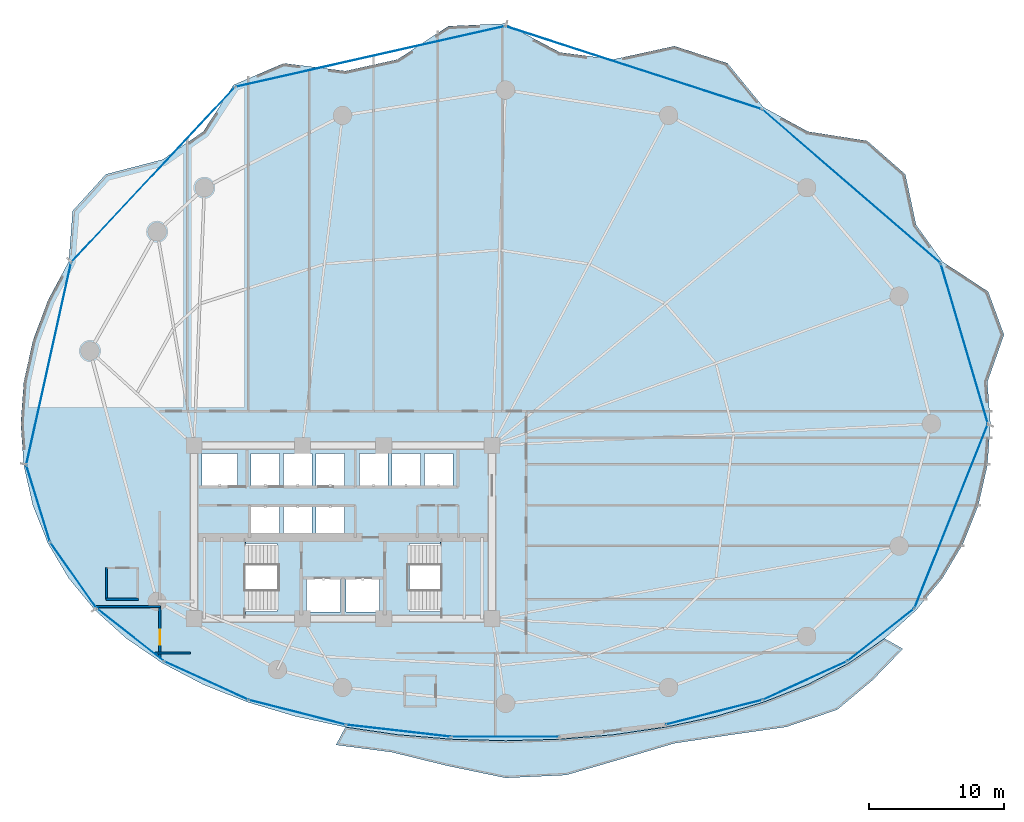
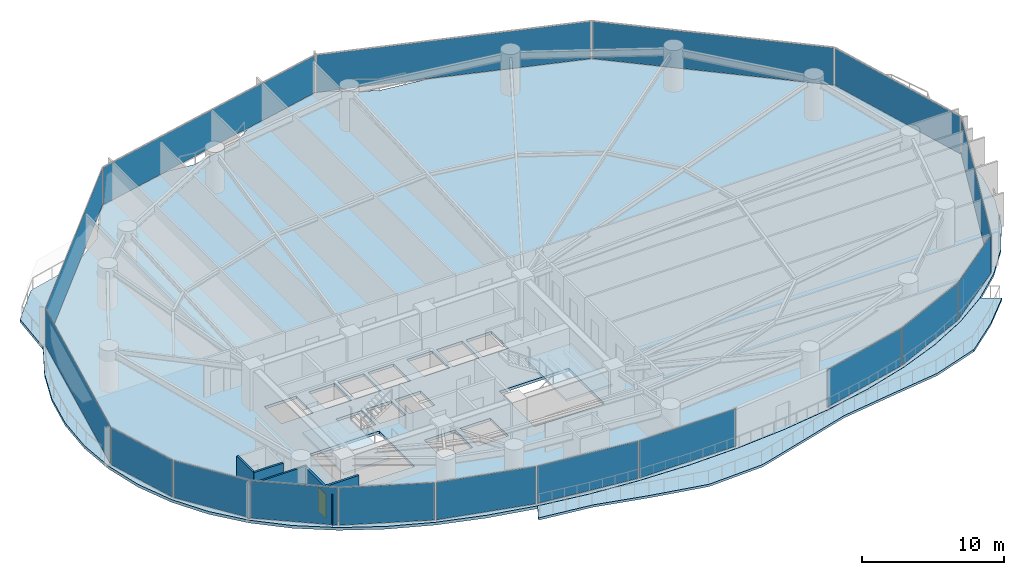
# One storey, part 25 of 33: 17 plates, 5 walls, 4 slabs, 1 door, 1 opening, 19 elements without a shape of their own.
"""IFC4 building model written with IfcOpenShell, lengths in metres."""

import ifcopenshell
import ifcopenshell.guid

model = None  # the IFC model being written
_history = None  # IfcOwnerHistory: only IFC2X3 demands one
_inside = {}  # id of a spatial element -> (the spatial element, [elements in it])
_under = {}  # id of a project, library or spatial element -> (it, [spatial elements below it])
_declared = {}  # id of a project -> (the project, [libraries it declares])
_typed = {}  # id of a type object -> (the type object, [elements of that type])
_made_of = {}  # id of a material, layer set ... -> (it, [elements and type objects made of it])


def new_model(schema):
    """Start an empty IFC model of exactly this schema.

    Asked for "IFC4X3", IfcOpenShell would pick the latest addendum, in which some entities
    have other attributes; the version numbers below select the first issue.
    IFC2X3 requires an IfcOwnerHistory on every rooted entity: one is made here for all.
    """
    global model, _history
    if schema == "IFC4X3":
        model = ifcopenshell.file(schema_version=(4, 3, 0, 0))
    else:
        model = ifcopenshell.file(schema=schema)
    _inside.clear()
    _under.clear()
    _declared.clear()
    _typed.clear()
    _made_of.clear()
    _history = None
    if model.schema == "IFC2X3":
        org = make("IfcOrganization", Name="unknown")
        user = make(
            "IfcPersonAndOrganization",
            ThePerson=make("IfcPerson", FamilyName="unknown"),
            TheOrganization=org,
        )
        app = make(
            "IfcApplication",
            ApplicationDeveloper=org,
            Version="unknown",
            ApplicationFullName="unknown",
            ApplicationIdentifier="unknown",
        )
        _history = make(
            "IfcOwnerHistory",
            OwningUser=user,
            OwningApplication=app,
            ChangeAction="ADDED",
            CreationDate=0,
        )
    return model


def make(cls, **values):
    """One entity of the class cls with the attributes given. An attribute that is None is left unset."""
    return model.create_entity(
        cls, **{name: value for name, value in values.items() if value is not None}
    )


def rooted(cls, **values):
    """An entity with a GlobalId (a new one), such as an element, a storey or a relation."""
    return make(cls, GlobalId=ifcopenshell.guid.new(), OwnerHistory=_history, **values)


def si_unit(unit_type, name, prefix=None):
    """IfcSIUnit, for example si_unit("LENGTHUNIT", "METRE", prefix="MILLI")."""
    return make("IfcSIUnit", UnitType=unit_type, Prefix=prefix, Name=name)


def assignment(units):
    """IfcUnitAssignment: the units of a project."""
    return None if units is None else make("IfcUnitAssignment", Units=units)


def point(xyz):
    """IfcCartesianPoint."""
    return None if xyz is None else make("IfcCartesianPoint", Coordinates=xyz)


def direction(xyz):
    """IfcDirection."""
    return None if xyz is None else make("IfcDirection", DirectionRatios=xyz)


def frame(location, z_axis=None, x_axis=None):
    """IfcAxis2Placement3D, a coordinate frame: its origin and axes. An axis left out is left unset."""
    return make(
        "IfcAxis2Placement3D",
        Location=point(location),
        Axis=direction(z_axis),
        RefDirection=direction(x_axis),
    )


def frame_2d(location, x_axis=None):
    """IfcAxis2Placement2D, a coordinate frame in the plane: its origin and x axis."""
    return make(
        "IfcAxis2Placement2D", Location=point(location), RefDirection=direction(x_axis)
    )


def origin():
    """The frame at (0, 0, 0) with its axes left unset."""
    return frame((0.0, 0.0, 0.0))


def origin_2d():
    """The frame at (0, 0) in the plane with its x axis left unset."""
    return frame_2d((0.0, 0.0))


def place(relative_to, where):
    """IfcLocalPlacement: puts the frame where relative to a parent placement (None: the world)."""
    return make(
        "IfcLocalPlacement", PlacementRelTo=relative_to, RelativePlacement=where
    )


def context(
    kind, dimensions, precision=None, world=None, true_north=None, identifier=None
):
    """IfcGeometricRepresentationContext, for example the 3D "Model" context."""
    return make(
        "IfcGeometricRepresentationContext",
        ContextIdentifier=identifier,
        ContextType=kind,
        CoordinateSpaceDimension=dimensions,
        Precision=precision,
        WorldCoordinateSystem=world,
        TrueNorth=true_north,
    )


def subcontext(parent, identifier, kind, view, scale=None):
    """IfcGeometricRepresentationSubContext, for example "Body" below "Model"."""
    return make(
        "IfcGeometricRepresentationSubContext",
        ContextIdentifier=identifier,
        ContextType=kind,
        ParentContext=parent,
        TargetScale=scale,
        TargetView=view,
    )


def project(units=None, contexts=None):
    """IfcProject with its units and contexts."""
    return rooted(
        "IfcProject",
        Name="project",
        RepresentationContexts=contexts,
        UnitsInContext=assignment(units),
    )


def spatial(cls, under=None, at=None, **own):
    """A site, building, storey or space (cls), placed at a placement, below another one or the project."""
    s = rooted(cls, ObjectPlacement=at, **own)
    if under is not None:
        _under.setdefault(under.id(), (under, []))[1].append(s)
    return s


def polyline(points):
    """IfcPolyline through the points."""
    return make("IfcPolyline", Points=[point(p) for p in points])


def profile(cls, at=None, kind="AREA", **sizes):
    """A parametric profile (cls). Its sizes go by their IFC names, for example OverallWidth=200.0."""
    return make(cls, ProfileType=kind, Position=at, **sizes)


def rectangle(**sizes):
    """IfcRectangleProfileDef."""
    return profile("IfcRectangleProfileDef", **sizes)


def outline(outer, holes=None, kind="AREA"):
    """IfcArbitraryClosedProfileDef: a profile drawn as a closed curve; with holes, ...WithVoids."""
    if holes is None:
        return make("IfcArbitraryClosedProfileDef", ProfileType=kind, OuterCurve=outer)
    return make(
        "IfcArbitraryProfileDefWithVoids",
        ProfileType=kind,
        OuterCurve=outer,
        InnerCurves=holes,
    )


def extrude(swept, where, along, depth):
    """IfcExtrudedAreaSolid: the profile swept, set in the frame where, extruded along a direction by depth."""
    return make(
        "IfcExtrudedAreaSolid",
        SweptArea=swept,
        Position=where,
        ExtrudedDirection=direction(along),
        Depth=depth,
    )


def shape(context_of_items, identifier, shape_type, items):
    """IfcShapeRepresentation: the items that make up one representation, for example the "Body"."""
    return make(
        "IfcShapeRepresentation",
        ContextOfItems=context_of_items,
        RepresentationIdentifier=identifier,
        RepresentationType=shape_type,
        Items=items,
    )


def material(Name=None, Category=None):
    """IfcMaterial."""
    return make("IfcMaterial", Name=Name, Category=Category)


def layer(
    of_material, thickness, ventilated=None, Name=None, Category=None, Priority=None
):
    """IfcMaterialLayer: one layer of a wall or slab, of a material (None: an air gap)."""
    return make(
        "IfcMaterialLayer",
        Material=of_material,
        LayerThickness=thickness,
        IsVentilated=ventilated,
        Name=Name,
        Category=Category,
        Priority=Priority,
    )


def layer_set(layers, Name=None):
    """IfcMaterialLayerSet."""
    return make("IfcMaterialLayerSet", MaterialLayers=layers, LayerSetName=Name)


def made_of(thing, what):
    """Note that an element or type object is made of a material, layer set ...; save() writes the relation."""
    if what is not None:
        _made_of.setdefault(what.id(), (what, []))[1].append(thing)
    return thing


def type_object(cls, material=None, **own):
    """A type object (cls), such as IfcWallType, which elements share."""
    return made_of(rooted(cls, **own), material)


def element(
    cls,
    number,
    at=None,
    inside=None,
    cuts=None,
    type_object=None,
    material=None,
    context=None,
    identifier="Body",
    shape_type=None,
    held_by="IfcProductDefinitionShape",
    body=None,
    shapes=None,
    **own,
):
    """One element of the class cls, such as IfcWall. Its Tag is "e" and its number.

    at: its placement. inside: the storey or other place that contains it. cuts: it is an
    opening in that element (IfcRelVoidsElement). A single representation is given by context,
    identifier, shape_type and body (its items); several are given by shapes. held_by: the class
    of the entity that holds the representations. save() writes the other relations.
    """
    e = rooted(cls, Tag="e%d" % number, ObjectPlacement=at, **own)
    if body is not None:
        shapes = [shape(context, identifier, shape_type, body)]
    if shapes is not None:
        e.Representation = make(held_by, Representations=shapes)
    if inside is not None:
        _inside.setdefault(inside.id(), (inside, []))[1].append(e)
    if cuts is not None:
        rooted(
            "IfcRelVoidsElement", RelatingBuildingElement=cuts, RelatedOpeningElement=e
        )
    if type_object is not None:
        _typed.setdefault(type_object.id(), (type_object, []))[1].append(e)
    return made_of(e, material)


def fill(opening, filler):
    """IfcRelFillsElement: the door or window that sits in an opening."""
    return rooted(
        "IfcRelFillsElement",
        RelatingOpeningElement=opening,
        RelatedBuildingElement=filler,
    )


def aggregate(whole, parts):
    """IfcRelAggregates: a whole, such as a stair, and the parts it consists of."""
    return rooted("IfcRelAggregates", RelatingObject=whole, RelatedObjects=parts)


def save(model, path):
    """Write the relations noted so far, then the file.

    IfcRelAggregates (storeys below a building ...), IfcRelContainedInSpatialStructure (elements
    in a storey), IfcRelDefinesByType, IfcRelAssociatesMaterial and IfcRelDeclares: one each for
    every whole, place, type object, material and project.
    """
    for whole, parts in _under.values():
        aggregate(whole, parts)
    for where, things in _inside.values():
        rooted(
            "IfcRelContainedInSpatialStructure",
            RelatedElements=things,
            RelatingStructure=where,
        )
    for kind, things in _typed.values():
        rooted("IfcRelDefinesByType", RelatedObjects=things, RelatingType=kind)
    for what, things in _made_of.values():
        rooted("IfcRelAssociatesMaterial", RelatedObjects=things, RelatingMaterial=what)
    for by, libraries in _declared.values():
        rooted("IfcRelDeclares", RelatingContext=by, RelatedDefinitions=libraries)
    model.write(path)


model = new_model("IFC4")

# Units and contexts
model_context = context("Model", 3, precision=1e-05, world=origin(), true_north=direction((0.0, 1.0)))
body_context = subcontext(model_context, "Body", "Model", "MODEL_VIEW")
ifc_project = project(units=[si_unit("LENGTHUNIT", "METRE"), si_unit("AREAUNIT", "SQUARE_METRE"), si_unit("VOLUMEUNIT", "CUBIC_METRE"), si_unit("PLANEANGLEUNIT", "RADIAN"), si_unit("MASSUNIT", "GRAM", prefix="KILO")], contexts=[model_context])

# Site, building, storey
site_placement = place(None, origin())
site = spatial("IfcSite", under=ifc_project, at=site_placement, CompositionType="ELEMENT")
building_placement = place(site_placement, origin())
building = spatial("IfcBuilding", under=site, at=building_placement, Name="Kazevale Care Tower and Concert Hall", CompositionType="ELEMENT")
storey_placement = place(building_placement, frame((0.0, 0.0, 52.800048828125)))
storey = spatial("IfcBuildingStorey", under=building, at=storey_placement, Name="L13", CompositionType="ELEMENT", Elevation=52.800048828125)

# Curtain wall, plate
ifc_material_1 = material(Name="Aluminium 6063-T6 and Low-E Glass", Category="aluminium")
ifc_layer_1 = layer(ifc_material_1, 0.179931640625)
ifc_layer_set_1 = layer_set([ifc_layer_1], Name="Aluminium 6063-T6 and Low-E Glass")
curtain_wall_type_1 = type_object("IfcCurtainWallType", Name="Convex Checkerboard Finned Curtain Wall CW-2", PredefinedType="NOTDEFINED", material=ifc_layer_set_1)
curtain_wall_1_placement = place(storey_placement, origin())
curtain_wall_1 = element("IfcCurtainWall", 1, at=curtain_wall_1_placement, inside=storey, type_object=curtain_wall_type_1, Name="cw:L13:f14", PredefinedType="NOTDEFINED")
ifc_material_2 = material(Name="Low-E Laminated Glass", Category="glass")
ifc_layer_2 = layer(ifc_material_2, 0.028076171875)
ifc_layer_set_2 = layer_set([ifc_layer_2], Name="Low-E Laminated Glass")
plate_type_1 = type_object("IfcPlateType", Name="CW-2 Low-E Glazing Panel 28mm", PredefinedType="CURTAIN_PANEL", material=ifc_layer_set_2)
plate_1_placement = place(storey_placement, frame((18.9794921875, 56.39990234375, 0.074951171875), z_axis=(0.0, 0.0, 1.0), x_axis=(0.683059159381, 0.730363049987, 0.0)))
plate_1 = element("IfcPlate", 2, at=plate_1_placement, type_object=plate_type_1, Name="CW-2 panel 1.1", PredefinedType="CURTAIN_PANEL", context=body_context, shape_type="SweptSolid", body=[
    extrude(rectangle(XDim=17.576416015625, YDim=0.028076171875, at=origin_2d()), origin(), (0.0, 0.0, 1.0), 3.2099609375),
])
aggregate(curtain_wall_1, [plate_1])

curtain_wall_2_placement = place(storey_placement, origin())
curtain_wall_2 = element("IfcCurtainWall", 3, at=curtain_wall_2_placement, inside=storey, type_object=curtain_wall_type_1, Name="cw:L13:f16", PredefinedType="NOTDEFINED")
plate_2_placement = place(storey_placement, frame((54.444580078125, 64.298095703125, 0.074951171875), z_axis=(0.0, 0.0, 1.0), x_axis=(0.951410385043, -0.307925769029, 0.0)))
plate_2 = element("IfcPlate", 4, at=plate_2_placement, type_object=plate_type_1, Name="CW-2 panel 1.1", PredefinedType="CURTAIN_PANEL", context=body_context, shape_type="SweptSolid", body=[
    extrude(rectangle(XDim=19.77978515625, YDim=0.028076171875, at=origin_2d()), origin(), (0.0, 0.0, 1.0), 3.2099609375),
])
aggregate(curtain_wall_2, [plate_2])

ifc_layer_3 = layer(ifc_material_1, 0.179931640625)
ifc_layer_set_3 = layer_set([ifc_layer_3], Name="Aluminium 6063-T6 and Low-E Glass")
curtain_wall_type_2 = type_object("IfcCurtainWallType", Name="Convex Recessed Sunroom Curtain Wall CW-3", PredefinedType="NOTDEFINED", material=ifc_layer_set_3)
curtain_wall_3_placement = place(storey_placement, origin())
curtain_wall_3 = element("IfcCurtainWall", 5, at=curtain_wall_3_placement, inside=storey, type_object=curtain_wall_type_2, Name="cw:L13:f15", PredefinedType="NOTDEFINED")
ifc_layer_4 = layer(ifc_material_2, 0.028076171875)
ifc_layer_set_4 = layer_set([ifc_layer_4], Name="Low-E Laminated Glass")
plate_type_2 = type_object("IfcPlateType", Name="CW-3 Low-E Glazing Panel 28mm", PredefinedType="CURTAIN_PANEL", material=ifc_layer_set_4)
plate_3_placement = place(storey_placement, frame((34.998046875, 65.12255859375, 0.074951171875), z_axis=(0.0, 0.0, 1.0), x_axis=(0.975520013596, 0.219910670667, 0.0)))
plate_3 = element("IfcPlate", 6, at=plate_3_placement, type_object=plate_type_2, Name="CW-3 panel 1.1", PredefinedType="CURTAIN_PANEL", context=body_context, shape_type="SweptSolid", body=[
    extrude(rectangle(XDim=20.27197265625, YDim=0.028076171875, at=origin_2d()), origin(), (0.0, 0.0, 1.0), 3.2099609375),
])
aggregate(curtain_wall_3, [plate_3])

curtain_wall_4_placement = place(storey_placement, origin())
curtain_wall_4 = element("IfcCurtainWall", 7, at=curtain_wall_4_placement, inside=storey, type_object=curtain_wall_type_2, Name="cw:L13:f17", PredefinedType="NOTDEFINED")
plate_4_placement = place(storey_placement, frame((70.529052734375, 55.535400390625, 0.074951171875), z_axis=(0.0, 0.0, 1.0), x_axis=(0.757199570248, -0.653183596561, 0.0)))
plate_4 = element("IfcPlate", 8, at=plate_4_placement, type_object=plate_type_2, Name="CW-3 panel 1.1", PredefinedType="CURTAIN_PANEL", context=body_context, shape_type="SweptSolid", body=[
    extrude(rectangle(XDim=17.280029296875, YDim=0.028076171875, at=origin_2d()), origin(), (0.0, 0.0, 1.0), 3.2099609375),
])
aggregate(curtain_wall_4, [plate_4])

ifc_layer_5 = layer(ifc_material_1, 0.179931640625)
ifc_layer_set_5 = layer_set([ifc_layer_5], Name="Aluminium 6063-T6 and Low-E Glass")
curtain_wall_type_3 = type_object("IfcCurtainWallType", Name="Waist & Upper Residential Curtain Wall CW-4", PredefinedType="NOTDEFINED", material=ifc_layer_set_5)
curtain_wall_5_placement = place(storey_placement, origin())
curtain_wall_5 = element("IfcCurtainWall", 9, at=curtain_wall_5_placement, inside=storey, type_object=curtain_wall_type_3, Name="cw:L13:f01", PredefinedType="NOTDEFINED")
ifc_layer_6 = layer(ifc_material_2, 0.030029296875)
ifc_layer_set_6 = layer_set([ifc_layer_6], Name="Low-E Laminated Glass")
plate_type_3 = type_object("IfcPlateType", Name="CW-4 Low-E Glazing Panel 30mm", PredefinedType="CURTAIN_PANEL", material=ifc_layer_set_6)
plate_5_placement = place(storey_placement, frame((77.90087890625, 31.181884765625, 0.080078125), z_axis=(0.0, 0.0, 1.0), x_axis=(-0.370427424456, -0.928861412274, 0.0)))
plate_5 = element("IfcPlate", 10, at=plate_5_placement, type_object=plate_type_3, Name="CW-4 panel 1.1", PredefinedType="CURTAIN_PANEL", context=body_context, shape_type="SweptSolid", body=[
    extrude(rectangle(XDim=14.520263671875, YDim=0.030029296875, at=origin_2d()), origin(), (0.0, 0.0, 1.0), 3.199951171875),
])
aggregate(curtain_wall_5, [plate_5])

curtain_wall_6_placement = place(storey_placement, origin())
curtain_wall_6 = element("IfcCurtainWall", 11, at=curtain_wall_6_placement, inside=storey, type_object=curtain_wall_type_3, Name="cw:L13:f11", PredefinedType="NOTDEFINED")
plate_6_placement = place(storey_placement, frame((13.094482421875, 26.81103515625, 0.080078125), z_axis=(0.0, 0.0, 1.0), x_axis=(-0.575836813322, 0.817564654583, 0.0)))
plate_6 = element("IfcPlate", 12, at=plate_6_placement, type_object=plate_type_3, Name="CW-4 panel 1.1", PredefinedType="CURTAIN_PANEL", context=body_context, shape_type="SweptSolid", body=[
    extrude(rectangle(XDim=5.826171875, YDim=0.030029296875, at=origin_2d()), origin(), (0.0, 0.0, 1.0), 3.199951171875),
])
aggregate(curtain_wall_6, [plate_6])

curtain_wall_7_placement = place(storey_placement, origin())
curtain_wall_7 = element("IfcCurtainWall", 13, at=curtain_wall_7_placement, inside=storey, type_object=curtain_wall_type_3, Name="cw:L13:f12", PredefinedType="NOTDEFINED")
plate_7_placement = place(storey_placement, frame((10.487548828125, 32.10791015625, 0.080078125), z_axis=(0.0, 0.0, 1.0), x_axis=(-0.296098771112, 0.955157326175, 0.0)))
plate_7 = element("IfcPlate", 14, at=plate_7_placement, type_object=plate_type_3, Name="CW-4 panel 1.1", PredefinedType="CURTAIN_PANEL", context=body_context, shape_type="SweptSolid", body=[
    extrude(rectangle(XDim=5.8076171875, YDim=0.030029296875, at=origin_2d()), origin(), (0.0, 0.0, 1.0), 3.199951171875),
])
aggregate(curtain_wall_7, [plate_7])

curtain_wall_8_placement = place(storey_placement, origin())
curtain_wall_8 = element("IfcCurtainWall", 15, at=curtain_wall_8_placement, inside=storey, type_object=curtain_wall_type_3, Name="cw:L13:f13", PredefinedType="NOTDEFINED")
plate_8_placement = place(storey_placement, frame((11.262939453125, 42.4404296875, 0.080078125), z_axis=(0.0, 0.0, 1.0), x_axis=(0.216460716862, 0.976291328475, 0.0)))
plate_8 = element("IfcPlate", 16, at=plate_8_placement, type_object=plate_type_3, Name="CW-4 panel 1.1", PredefinedType="CURTAIN_PANEL", context=body_context, shape_type="SweptSolid", body=[
    extrude(rectangle(XDim=15.16845703125, YDim=0.030029296875, at=origin_2d()), origin(), (0.0, 0.0, 1.0), 3.199951171875),
])
aggregate(curtain_wall_8, [plate_8])

curtain_wall_9_placement = place(storey_placement, origin())
curtain_wall_9 = element("IfcCurtainWall", 17, at=curtain_wall_9_placement, inside=storey, type_object=curtain_wall_type_3, Name="cw:L13:f18", PredefinedType="NOTDEFINED")
plate_9_placement = place(storey_placement, frame((78.8740234375, 43.92138671875, 0.080078125), z_axis=(0.0, 0.0, 1.0), x_axis=(0.282819600918, -0.959173119586, 0.0)))
plate_9 = element("IfcPlate", 18, at=plate_9_placement, type_object=plate_type_3, Name="CW-4 panel 1.1", PredefinedType="CURTAIN_PANEL", context=body_context, shape_type="SweptSolid", body=[
    extrude(rectangle(XDim=12.18701171875, YDim=0.030029296875, at=origin_2d()), origin(), (0.0, 0.0, 1.0), 3.199951171875),
])
aggregate(curtain_wall_9, [plate_9])

ifc_layer_7 = layer(ifc_material_1, 0.179931640625)
ifc_layer_set_7 = layer_set([ifc_layer_7], Name="Aluminium 6063-T6 and Low-E Glass")
curtain_wall_type_4 = type_object("IfcCurtainWallType", Name="Sheltered Concave Balcony Curtain Wall CW-5", PredefinedType="NOTDEFINED", material=ifc_layer_set_7)
curtain_wall_10_placement = place(storey_placement, origin())
curtain_wall_10 = element("IfcCurtainWall", 19, at=curtain_wall_10_placement, inside=storey, type_object=curtain_wall_type_4, Name="cw:L13:f02", PredefinedType="NOTDEFINED")
ifc_layer_8 = layer(ifc_material_2, 0.02587890625)
ifc_layer_set_8 = layer_set([ifc_layer_8], Name="Low-E Laminated Glass")
plate_type_4 = type_object("IfcPlateType", Name="CW-5 Low-E Glazing Panel 26mm", PredefinedType="CURTAIN_PANEL", material=ifc_layer_set_8)
plate_10_placement = place(storey_placement, frame((72.701904296875, 22.41552734375, 0.074951171875), z_axis=(0.0, 0.0, 1.0), x_axis=(-0.78632934107, -0.617807548814, 0.0)))
plate_10 = element("IfcPlate", 20, at=plate_10_placement, type_object=plate_type_4, Name="CW-5 panel 1.1", PredefinedType="CURTAIN_PANEL", context=body_context, shape_type="SweptSolid", body=[
    extrude(rectangle(XDim=6.15771484375, YDim=0.02587890625, at=origin_2d()), origin(), (0.0, 0.0, 1.0), 3.2099609375),
])
aggregate(curtain_wall_10, [plate_10])

curtain_wall_11_placement = place(storey_placement, origin())
curtain_wall_11 = element("IfcCurtainWall", 21, at=curtain_wall_11_placement, inside=storey, type_object=curtain_wall_type_4, Name="cw:L13:f03", PredefinedType="NOTDEFINED")
plate_11_placement = place(storey_placement, frame((67.10498046875, 19.04248046875, 0.074951171875), z_axis=(0.0, 0.0, 1.0), x_axis=(-0.909520179795, -0.415659767773, 0.0)))
plate_11 = element("IfcPlate", 22, at=plate_11_placement, type_object=plate_type_4, Name="CW-5 panel 1.1", PredefinedType="CURTAIN_PANEL", context=body_context, shape_type="SweptSolid", body=[
    extrude(rectangle(XDim=6.7041015625, YDim=0.02587890625, at=origin_2d()), origin(), (0.0, 0.0, 1.0), 3.2099609375),
])
aggregate(curtain_wall_11, [plate_11])

curtain_wall_12_placement = place(storey_placement, origin())
curtain_wall_12 = element("IfcCurtainWall", 23, at=curtain_wall_12_placement, inside=storey, type_object=curtain_wall_type_4, Name="cw:L13:f04", PredefinedType="NOTDEFINED")
plate_12_placement = place(storey_placement, frame((60.389892578125, 16.699951171875, 0.074951171875), z_axis=(0.0, 0.0, 1.0), x_axis=(-0.968958899798, -0.247221864936, 0.0)))
plate_12 = element("IfcPlate", 24, at=plate_12_placement, type_object=plate_type_4, Name="CW-5 panel 1.1", PredefinedType="CURTAIN_PANEL", context=body_context, shape_type="SweptSolid", body=[
    extrude(rectangle(XDim=7.276611328125, YDim=0.02587890625, at=origin_2d()), origin(), (0.0, 0.0, 1.0), 3.2099609375),
])
aggregate(curtain_wall_12, [plate_12])

curtain_wall_13_placement = place(storey_placement, origin())
curtain_wall_13 = element("IfcCurtainWall", 25, at=curtain_wall_13_placement, inside=storey, type_object=curtain_wall_type_4, Name="cw:L13:f06", PredefinedType="NOTDEFINED")
plate_13_placement = place(storey_placement, frame((45.0, 14.889892578125, 0.074951171875), z_axis=(0.0, 0.0, 1.0), x_axis=(-1.0, 0.0, 0.0)))
plate_13 = element("IfcPlate", 26, at=plate_13_placement, type_object=plate_type_4, Name="CW-5 panel 1.1", PredefinedType="CURTAIN_PANEL", context=body_context, shape_type="SweptSolid", body=[
    extrude(rectangle(XDim=7.845947265625, YDim=0.02587890625, at=origin_2d()), origin(), (0.0, 0.0, 1.0), 3.2099609375),
])
aggregate(curtain_wall_13, [plate_13])

curtain_wall_14_placement = place(storey_placement, origin())
curtain_wall_14 = element("IfcCurtainWall", 27, at=curtain_wall_14_placement, inside=storey, type_object=curtain_wall_type_4, Name="cw:L13:f07", PredefinedType="NOTDEFINED")
plate_14_placement = place(storey_placement, frame((37.10498046875, 15.3359375, 0.074951171875), z_axis=(0.0, 0.0, 1.0), x_axis=(-0.993514581883, 0.113704773808, 0.0)))
plate_14 = element("IfcPlate", 28, at=plate_14_placement, type_object=plate_type_4, Name="CW-5 panel 1.1", PredefinedType="CURTAIN_PANEL", context=body_context, shape_type="SweptSolid", body=[
    extrude(rectangle(XDim=7.69482421875, YDim=0.02587890625, at=origin_2d()), origin(), (0.0, 0.0, 1.0), 3.2099609375),
])
aggregate(curtain_wall_14, [plate_14])

curtain_wall_15_placement = place(storey_placement, origin())
curtain_wall_15 = element("IfcCurtainWall", 29, at=curtain_wall_15_placement, inside=storey, type_object=curtain_wall_type_4, Name="cw:L13:f08", PredefinedType="NOTDEFINED")
plate_15_placement = place(storey_placement, frame((29.610107421875, 16.699951171875, 0.074951171875), z_axis=(0.0, 0.0, 1.0), x_axis=(-0.968958899798, 0.247221864936, 0.0)))
plate_15 = element("IfcPlate", 30, at=plate_15_placement, type_object=plate_type_4, Name="CW-5 panel 1.1", PredefinedType="CURTAIN_PANEL", context=body_context, shape_type="SweptSolid", body=[
    extrude(rectangle(XDim=7.276611328125, YDim=0.02587890625, at=origin_2d()), origin(), (0.0, 0.0, 1.0), 3.2099609375),
])
aggregate(curtain_wall_15, [plate_15])

curtain_wall_16_placement = place(storey_placement, origin())
curtain_wall_16 = element("IfcCurtainWall", 31, at=curtain_wall_16_placement, inside=storey, type_object=curtain_wall_type_4, Name="cw:L13:f09", PredefinedType="NOTDEFINED")
plate_16_placement = place(storey_placement, frame((22.89501953125, 19.04248046875, 0.074951171875), z_axis=(0.0, 0.0, 1.0), x_axis=(-0.909520179795, 0.415659767773, 0.0)))
plate_16 = element("IfcPlate", 32, at=plate_16_placement, type_object=plate_type_4, Name="CW-5 panel 1.1", PredefinedType="CURTAIN_PANEL", context=body_context, shape_type="SweptSolid", body=[
    extrude(rectangle(XDim=6.7041015625, YDim=0.02587890625, at=origin_2d()), origin(), (0.0, 0.0, 1.0), 3.2099609375),
])
aggregate(curtain_wall_16, [plate_16])

curtain_wall_17_placement = place(storey_placement, origin())
curtain_wall_17 = element("IfcCurtainWall", 33, at=curtain_wall_17_placement, inside=storey, type_object=curtain_wall_type_4, Name="cw:L13:f10", PredefinedType="NOTDEFINED")
plate_17_placement = place(storey_placement, frame((17.298095703125, 22.41552734375, 0.074951171875), z_axis=(0.0, 0.0, 1.0), x_axis=(-0.78632934107, 0.617807548814, 0.0)))
plate_17 = element("IfcPlate", 34, at=plate_17_placement, type_object=plate_type_4, Name="CW-5 panel 1.1", PredefinedType="CURTAIN_PANEL", context=body_context, shape_type="SweptSolid", body=[
    extrude(rectangle(XDim=6.15771484375, YDim=0.02587890625, at=origin_2d()), origin(), (0.0, 0.0, 1.0), 3.2099609375),
])
aggregate(curtain_wall_17, [plate_17])

# Slab
ifc_material_3 = material(Name="Concrete C40", Category="concrete")
ifc_layer_9 = layer(ifc_material_3, 0.199951171875)
ifc_layer_set_9 = layer_set([ifc_layer_9], Name="Concrete C40")
slab_type_1 = type_object("IfcSlabType", Name="Sinusoidal Concave Balcony Slab 200", PredefinedType="USERDEFINED", material=ifc_layer_set_9)
slab_1_placement = place(storey_placement, frame((0.0, 0.0, -0.199951171875)))
element("IfcSlab", 35, at=slab_1_placement, inside=storey, type_object=slab_type_1, Name="slab:L13:bal", ObjectType="BALCONY", PredefinedType="USERDEFINED", context=body_context, shape_type="SweptSolid", body=[
    extrude(outline(polyline([(74.33349609375, 21.382080078125), (72.093017578125, 19.069091796875), (69.478759765625, 16.88671875), (65.73828125, 15.62255859375), (61.529296875, 15.017822265625), (57.456787109375, 14.406982421875), (53.5849609375, 13.260986328125), (49.464111328125, 12.0615234375), (45.0, 11.852783203125), (40.655517578125, 12.757568359375), (36.5869140625, 13.755615234375), (32.480712890625, 14.288330078125), (33.173583984375, 15.6005859375), (33.175048828125, 15.600341796875), (37.033203125, 15.038818359375), (40.991455078125, 14.705322265625), (45.0, 14.594970703125), (49.008544921875, 14.705322265625), (52.966796875, 15.038818359375), (56.824951171875, 15.600341796875), (60.5341796875, 16.3984375), (64.04833984375, 17.443115234375), (67.322998046875, 18.743408203125), (70.31689453125, 20.3076171875), (72.99267578125, 22.139404296875), (72.994140625, 22.140625), (74.33349609375, 21.382080078125)])), origin(), (0.0, 0.0, 1.0), 0.199951171875),
])

# Stair, slab
stair_type = type_object("IfcStairType", Name="Exit Stair Assembly ST1-Z1", PredefinedType="HALF_TURN_STAIR", material=ifc_material_3)
stair_1_placement = place(storey_placement, origin())
stair_1 = element("IfcStair", 36, at=stair_1_placement, inside=storey, type_object=stair_type, Name="stair:L13:ST1", PredefinedType="HALF_TURN_STAIR")
ifc_layer_10 = layer(ifc_material_3, 0.199951171875)
ifc_layer_set_10 = layer_set([ifc_layer_10], Name="Concrete C40")
slab_type_2 = type_object("IfcSlabType", Name="Stair Half-Landing Slab ST1-Z1", PredefinedType="LANDING", material=ifc_layer_set_10)
slab_2_placement = place(storey_placement, frame((0.0, 0.0, 1.599853515625)))
slab_2 = element("IfcSlab", 37, at=slab_2_placement, type_object=slab_type_2, Name="ST1-Z1 landing 1", PredefinedType="LANDING", context=body_context, shape_type="SweptSolid", body=[
    extrude(outline(polyline([(22.050048828125, 23.699951171875), (25.81005859375, 23.699951171875), (25.81005859375, 29.5), (22.050048828125, 29.5), (22.050048828125, 23.699951171875)])), origin(), (0.0, 0.0, 1.0), 0.2001953125),
])
aggregate(stair_1, [slab_2])

stair_2_placement = place(storey_placement, origin())
stair_2 = element("IfcStair", 38, at=stair_2_placement, inside=storey, type_object=stair_type, Name="stair:L13:ST2", PredefinedType="HALF_TURN_STAIR")
slab_3_placement = place(storey_placement, frame((0.0, 0.0, 1.599853515625)))
slab_3 = element("IfcSlab", 39, at=slab_3_placement, type_object=slab_type_2, Name="ST1-Z1 landing 1", PredefinedType="LANDING", context=body_context, shape_type="SweptSolid", body=[
    extrude(outline(polyline([(40.18994140625, 23.699951171875), (43.949951171875, 23.699951171875), (43.949951171875, 29.5), (40.18994140625, 29.5), (40.18994140625, 23.699951171875)])), origin(), (0.0, 0.0, 1.0), 0.2001953125),
])
aggregate(stair_2, [slab_3])

# Slab
ifc_layer_11 = layer(ifc_material_3, 0.239990234375)
ifc_layer_set_11 = layer_set([ifc_layer_11], Name="Concrete C40")
slab_type_3 = type_object("IfcSlabType", Name="Tower Typical Floor Slab 240", PredefinedType="FLOOR", material=ifc_layer_set_11)
slab_4_placement = place(storey_placement, frame((0.0, 0.0, -0.239990234375)))
element("IfcSlab", 40, at=slab_4_placement, inside=storey, type_object=slab_type_3, Name="slab:L13:tw:1", PredefinedType="FLOOR", context=body_context, shape_type="SweptSolid", body=[
    extrude(outline(polyline([(80.800048828125, 38.0), (80.574951171875, 41.090087890625), (81.803466796875, 44.575439453125), (80.631591796875, 47.759765625), (77.254638671875, 49.97509765625), (75.312744140625, 52.68408203125), (74.51416015625, 56.424072265625), (71.693359375, 58.89501953125), (67.32080078125, 59.57861328125), (64.046630859375, 61.36962890625), (61.379150390625, 64.62353515625), (57.468017578125, 65.891845703125), (52.96630859375, 64.907958984375), (49.00830078125, 65.426513671875), (45.0, 67.550048828125), (40.773193359375, 67.3642578125), (37.03369140625, 64.907958984375), (33.176025390625, 64.05126953125), (28.620849609375, 64.62353515625), (24.915771484375, 63.020751953125), (22.67919921875, 59.57861328125), (19.685546875, 57.51611328125), (15.48583984375, 56.424072265625), (13.0361328125, 53.721435546875), (12.745361328125, 49.97509765625), (11.208984375, 47.11572265625), (10.09765625, 44.1416015625), (9.425048828125, 41.090087890625), (9.199951171875, 38.0), (9.425048828125, 34.931640625), (10.09765625, 31.972412109375), (11.208984375, 29.178466796875), (12.745361328125, 26.591064453125), (14.687255859375, 24.239501953125), (17.010498046875, 22.143310546875), (19.685546875, 20.31201171875), (22.67919921875, 18.748046875), (25.953369140625, 17.44775390625), (29.467041015625, 16.4033203125), (33.176025390625, 15.605224609375), (37.03369140625, 15.043701171875), (40.99169921875, 14.71044921875), (45.0, 14.60009765625), (49.00830078125, 14.71044921875), (52.96630859375, 15.043701171875), (56.823974609375, 15.605224609375), (60.532958984375, 16.4033203125), (64.046630859375, 17.44775390625), (67.32080078125, 18.748046875), (70.314453125, 20.31201171875), (72.989501953125, 22.143310546875), (75.312744140625, 24.239501953125), (77.254638671875, 26.591064453125), (78.791015625, 29.178466796875), (79.90234375, 31.972412109375), (80.574951171875, 34.931640625), (80.800048828125, 38.0)]), holes=[polyline([(22.449951171875, 24.14990234375), (28.110107421875, 24.14990234375), (28.110107421875, 29.14990234375), (22.449951171875, 29.14990234375), (22.449951171875, 24.14990234375)]), polyline([(37.889892578125, 24.14990234375), (43.550048828125, 24.14990234375), (43.550048828125, 29.14990234375), (37.889892578125, 29.14990234375), (37.889892578125, 24.14990234375)]), polyline([(30.300048828125, 24.10009765625), (32.800048828125, 24.10009765625), (32.800048828125, 26.60009765625), (30.300048828125, 26.60009765625), (30.300048828125, 24.10009765625)]), polyline([(33.199951171875, 24.10009765625), (35.699951171875, 24.10009765625), (35.699951171875, 26.60009765625), (33.199951171875, 26.60009765625), (33.199951171875, 24.10009765625)]), polyline([(22.60009765625, 33.39990234375), (25.199951171875, 33.39990234375), (25.199951171875, 35.800048828125), (22.60009765625, 35.800048828125), (22.60009765625, 33.39990234375)]), polyline([(26.199951171875, 33.39990234375), (28.300048828125, 33.39990234375), (28.300048828125, 35.800048828125), (26.199951171875, 35.800048828125), (26.199951171875, 33.39990234375)]), polyline([(28.60009765625, 33.39990234375), (30.699951171875, 33.39990234375), (30.699951171875, 35.800048828125), (28.60009765625, 35.800048828125), (28.60009765625, 33.39990234375)]), polyline([(31.0, 33.39990234375), (33.10009765625, 33.39990234375), (33.10009765625, 35.800048828125), (31.0, 35.800048828125), (31.0, 33.39990234375)]), polyline([(34.199951171875, 33.39990234375), (36.300048828125, 33.39990234375), (36.300048828125, 35.800048828125), (34.199951171875, 35.800048828125), (34.199951171875, 33.39990234375)]), polyline([(36.60009765625, 33.39990234375), (38.699951171875, 33.39990234375), (38.699951171875, 35.800048828125), (36.60009765625, 35.800048828125), (36.60009765625, 33.39990234375)]), polyline([(39.0, 33.39990234375), (41.10009765625, 33.39990234375), (41.10009765625, 35.800048828125), (39.0, 35.800048828125), (39.0, 33.39990234375)]), polyline([(26.199951171875, 29.949951171875), (28.300048828125, 29.949951171875), (28.300048828125, 31.949951171875), (26.199951171875, 31.949951171875), (26.199951171875, 29.949951171875)]), polyline([(28.60009765625, 29.949951171875), (30.699951171875, 29.949951171875), (30.699951171875, 31.949951171875), (28.60009765625, 31.949951171875), (28.60009765625, 29.949951171875)]), polyline([(31.0, 29.949951171875), (33.10009765625, 29.949951171875), (33.10009765625, 31.949951171875), (31.0, 31.949951171875), (31.0, 29.949951171875)])]), origin(), (0.0, 0.0, 1.0), 0.239990234375),
])

# Wall
ifc_material_4 = material(Name="Acoustic Gypsum on Steel Stud", Category="steel")
ifc_layer_12 = layer(ifc_material_4, 0.139892578125)
ifc_layer_set_12 = layer_set([ifc_layer_12], Name="Acoustic Gypsum on Steel Stud")
wall_type_1 = type_object("IfcWallType", Name="Acoustic Care & Suite Partition 140", PredefinedType="PARTITIONING", material=ifc_layer_set_12)
wall_1_placement = place(storey_placement, frame((14.732177734375, 24.5, 0.0), z_axis=(0.0, 0.0, 1.0), x_axis=(1.0, 0.0, 0.0)))
element("IfcWall", 41, at=wall_1_placement, inside=storey, type_object=wall_type_1, Name="wall:L13:auto_033", PredefinedType="PARTITIONING", context=body_context, shape_type="SweptSolid", body=[
    extrude(rectangle(XDim=4.772705078125, YDim=0.139892578125, at=frame_2d((2.38623046875, 0.0))), origin(), (0.0, 0.0, 1.0), 2.889892578125),
])

# Wall, opening, door
ifc_material_5 = material(Name="Concrete C40 and Acoustic Gypsum", Category="concrete")
ifc_layer_13 = layer(ifc_material_5, 0.179931640625)
ifc_layer_set_13 = layer_set([ifc_layer_13], Name="Concrete C40 and Acoustic Gypsum")
wall_type_2 = type_object("IfcWallType", Name="Fire-Rated Corridor & Party Wall 180", PredefinedType="PARTITIONING", material=ifc_layer_set_13)
wall_2_placement = place(storey_placement, frame((19.47509765625, 20.695068359375, 0.0), z_axis=(0.0, 0.0, 1.0), x_axis=(0.0, 1.0, 0.0)))
wall_2 = element("IfcWall", 42, at=wall_2_placement, inside=storey, type_object=wall_type_2, Name="wall:L13:auto_016", PredefinedType="PARTITIONING", context=body_context, shape_type="SweptSolid", body=[
    extrude(rectangle(XDim=3.869873046875, YDim=0.179931640625, at=frame_2d((1.93505859375, 0.0))), origin(), (0.0, 0.0, 1.0), 2.738037109375),
])
opening_placement = place(wall_2_placement, frame((0.985107421875, 0.0, 0.0)))
opening = element("IfcOpeningElement", 43, at=opening_placement, cuts=wall_2, Name="Opening ID-1100", PredefinedType="OPENING", context=body_context, shape_type="SweptSolid", body=[
    extrude(rectangle(XDim=1.10009765625, YDim=2.10009765625, at=frame_2d((0.550048828125, 1.050048828125))), frame((0.0, 0.099853515625, 0.0), z_axis=(0.0, -1.0, 0.0), x_axis=(1.0, 0.0, 0.0)), (0.0, 0.0, 1.0), 0.199951171875),
])
ifc_material_6 = material(Name="Oak Timber Fire Leaf", Category="wood")
door_type = type_object("IfcDoorType", Name="Care Bedroom Accessible Door 1100x2100", OperationType="NOTDEFINED", PredefinedType="DOOR", material=ifc_material_6)
door_placement = place(opening_placement, origin())
door = element("IfcDoor", 44, at=door_placement, inside=storey, type_object=door_type, Name="door:L13:ad_016", OperationType="SINGLE_SWING_LEFT", OverallHeight=2.10009765625, OverallWidth=1.10009765625, PredefinedType="DOOR", context=body_context, shape_type="SweptSolid", body=[
    extrude(rectangle(XDim=1.10009765625, YDim=2.10009765625, at=frame_2d((0.550048828125, 1.050048828125))), frame((0.0, 0.02490234375, 0.0), z_axis=(0.0, -1.0, 0.0), x_axis=(1.0, 0.0, 0.0)), (0.0, 0.0, 1.0), 0.050048828125),
])
fill(opening, door)

# Walls
wall_3_placement = place(storey_placement, frame((21.739990234375, 21.074951171875, 0.0), z_axis=(0.0, 0.0, 1.0), x_axis=(-1.0, 0.0, 0.0)))
element("IfcWall", 45, at=wall_3_placement, inside=storey, type_object=wall_type_2, Name="wall:L13:auto_017", PredefinedType="PARTITIONING", context=body_context, shape_type="SweptSolid", body=[
    extrude(rectangle(XDim=2.64501953125, YDim=0.179931640625, at=frame_2d((1.322509765625, 0.0))), origin(), (0.0, 0.0, 1.0), 3.35986328125),
])
ifc_layer_14 = layer(ifc_material_4, 0.159912109375)
ifc_layer_set_14 = layer_set([ifc_layer_14], Name="Acoustic Gypsum on Steel Stud")
wall_type_3 = type_object("IfcWallType", Name="Moisture-Resistant Bathroom Plumbing Wall 160", PredefinedType="PLUMBINGWALL", material=ifc_layer_set_14)
for number, where, z_axis, x_axis, name in (
    (46, (15.5, 25.050048828125, 0.0), (0.0, 0.0, 1.0), (1.0, 0.0, 0.0), "wall:L13:wb2_ens_ws"),
    (47, (15.5400390625, 25.010009765625, 0.0), (0.0, 0.0, 1.0), (0.0, 1.0, 0.0), "wall:L13:wb2_ens_ww"),
):
    element("IfcWall", number, at=place(storey_placement, frame(where, z_axis=z_axis, x_axis=x_axis)), inside=storey, type_object=wall_type_3, Name=name, PredefinedType="PLUMBINGWALL", context=body_context, shape_type="SweptSolid", body=[
        extrude(rectangle(XDim=2.3798828125, YDim=0.159912109375, at=frame_2d((1.18994140625, 0.0))), origin(), (0.0, 0.0, 1.0), 3.35986328125),
    ])

save(model, "model.ifc")
